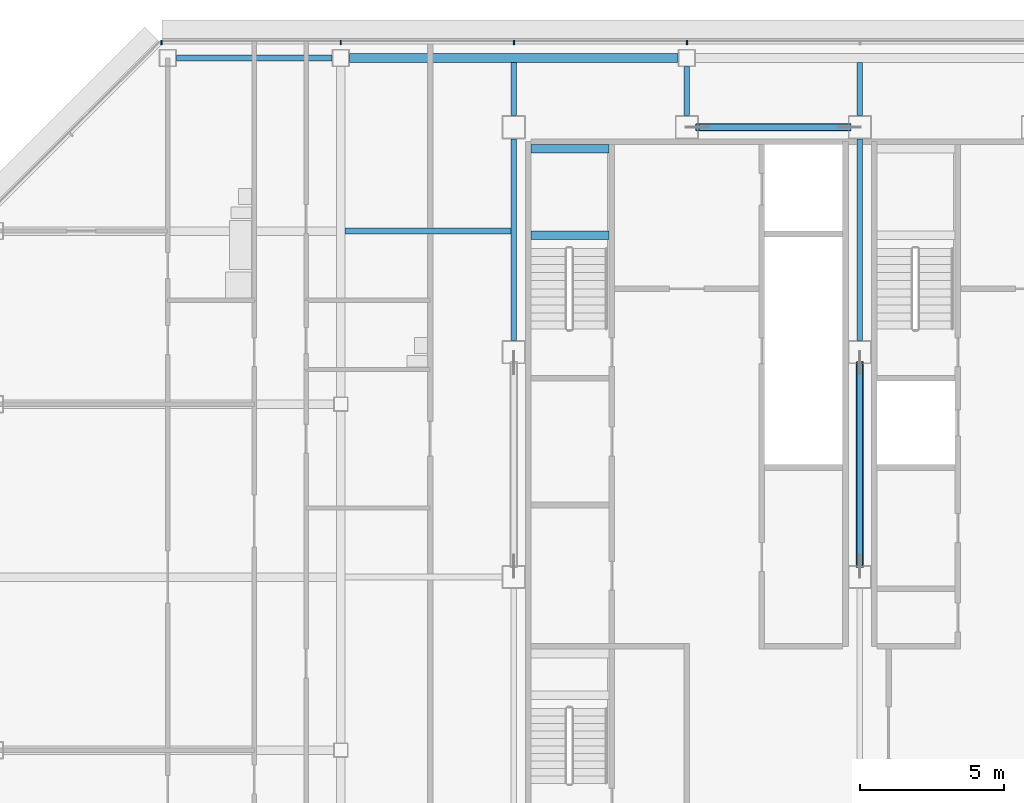
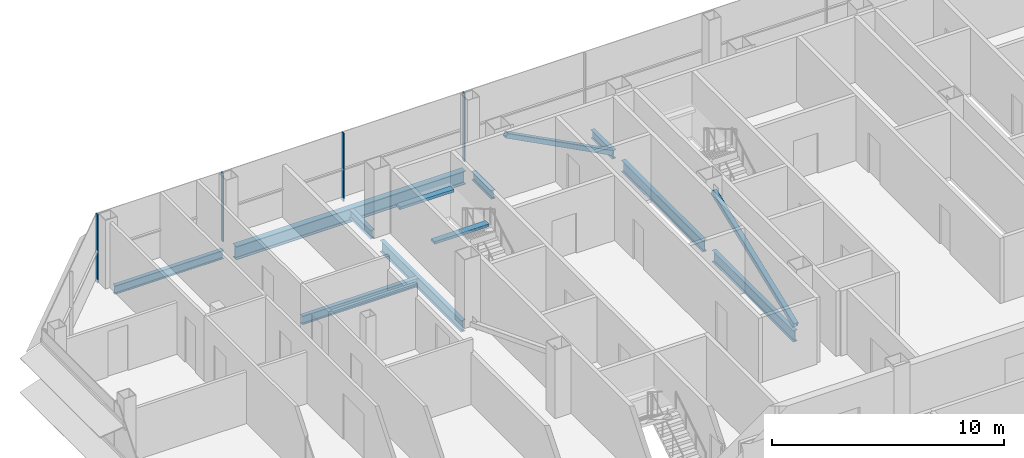
# One storey, part 13 of 28: 11 beams, 6 members, 1 element without a shape of its own.
"""IFC4 building model written with IfcOpenShell, lengths in metres."""

import ifcopenshell
import ifcopenshell.guid

model = None  # the IFC model being written
_history = None  # IfcOwnerHistory: only IFC2X3 demands one
_inside = {}  # id of a spatial element -> (the spatial element, [elements in it])
_under = {}  # id of a project, library or spatial element -> (it, [spatial elements below it])
_declared = {}  # id of a project -> (the project, [libraries it declares])
_typed = {}  # id of a type object -> (the type object, [elements of that type])
_made_of = {}  # id of a material, layer set ... -> (it, [elements and type objects made of it])


def new_model(schema):
    """Start an empty IFC model of exactly this schema.

    Asked for "IFC4X3", IfcOpenShell would pick the latest addendum, in which some entities
    have other attributes; the version numbers below select the first issue.
    IFC2X3 requires an IfcOwnerHistory on every rooted entity: one is made here for all.
    """
    global model, _history
    if schema == "IFC4X3":
        model = ifcopenshell.file(schema_version=(4, 3, 0, 0))
    else:
        model = ifcopenshell.file(schema=schema)
    _inside.clear()
    _under.clear()
    _declared.clear()
    _typed.clear()
    _made_of.clear()
    _history = None
    if model.schema == "IFC2X3":
        org = make("IfcOrganization", Name="unknown")
        user = make(
            "IfcPersonAndOrganization",
            ThePerson=make("IfcPerson", FamilyName="unknown"),
            TheOrganization=org,
        )
        app = make(
            "IfcApplication",
            ApplicationDeveloper=org,
            Version="unknown",
            ApplicationFullName="unknown",
            ApplicationIdentifier="unknown",
        )
        _history = make(
            "IfcOwnerHistory",
            OwningUser=user,
            OwningApplication=app,
            ChangeAction="ADDED",
            CreationDate=0,
        )
    return model


def make(cls, **values):
    """One entity of the class cls with the attributes given. An attribute that is None is left unset."""
    return model.create_entity(
        cls, **{name: value for name, value in values.items() if value is not None}
    )


def rooted(cls, **values):
    """An entity with a GlobalId (a new one), such as an element, a storey or a relation."""
    return make(cls, GlobalId=ifcopenshell.guid.new(), OwnerHistory=_history, **values)


def si_unit(unit_type, name, prefix=None):
    """IfcSIUnit, for example si_unit("LENGTHUNIT", "METRE", prefix="MILLI")."""
    return make("IfcSIUnit", UnitType=unit_type, Prefix=prefix, Name=name)


def assignment(units):
    """IfcUnitAssignment: the units of a project."""
    return None if units is None else make("IfcUnitAssignment", Units=units)


def point(xyz):
    """IfcCartesianPoint."""
    return None if xyz is None else make("IfcCartesianPoint", Coordinates=xyz)


def direction(xyz):
    """IfcDirection."""
    return None if xyz is None else make("IfcDirection", DirectionRatios=xyz)


def frame(location, z_axis=None, x_axis=None):
    """IfcAxis2Placement3D, a coordinate frame: its origin and axes. An axis left out is left unset."""
    return make(
        "IfcAxis2Placement3D",
        Location=point(location),
        Axis=direction(z_axis),
        RefDirection=direction(x_axis),
    )


def frame_2d(location, x_axis=None):
    """IfcAxis2Placement2D, a coordinate frame in the plane: its origin and x axis."""
    return make(
        "IfcAxis2Placement2D", Location=point(location), RefDirection=direction(x_axis)
    )


def origin():
    """The frame at (0, 0, 0) with its axes left unset."""
    return frame((0.0, 0.0, 0.0))


def origin_2d():
    """The frame at (0, 0) in the plane with its x axis left unset."""
    return frame_2d((0.0, 0.0))


def place(relative_to, where):
    """IfcLocalPlacement: puts the frame where relative to a parent placement (None: the world)."""
    return make(
        "IfcLocalPlacement", PlacementRelTo=relative_to, RelativePlacement=where
    )


def context(
    kind, dimensions, precision=None, world=None, true_north=None, identifier=None
):
    """IfcGeometricRepresentationContext, for example the 3D "Model" context."""
    return make(
        "IfcGeometricRepresentationContext",
        ContextIdentifier=identifier,
        ContextType=kind,
        CoordinateSpaceDimension=dimensions,
        Precision=precision,
        WorldCoordinateSystem=world,
        TrueNorth=true_north,
    )


def subcontext(parent, identifier, kind, view, scale=None):
    """IfcGeometricRepresentationSubContext, for example "Body" below "Model"."""
    return make(
        "IfcGeometricRepresentationSubContext",
        ContextIdentifier=identifier,
        ContextType=kind,
        ParentContext=parent,
        TargetScale=scale,
        TargetView=view,
    )


def project(units=None, contexts=None):
    """IfcProject with its units and contexts."""
    return rooted(
        "IfcProject",
        Name="project",
        RepresentationContexts=contexts,
        UnitsInContext=assignment(units),
    )


def spatial(cls, under=None, at=None, **own):
    """A site, building, storey or space (cls), placed at a placement, below another one or the project."""
    s = rooted(cls, ObjectPlacement=at, **own)
    if under is not None:
        _under.setdefault(under.id(), (under, []))[1].append(s)
    return s


def profile(cls, at=None, kind="AREA", **sizes):
    """A parametric profile (cls). Its sizes go by their IFC names, for example OverallWidth=200.0."""
    return make(cls, ProfileType=kind, Position=at, **sizes)


def rectangle(**sizes):
    """IfcRectangleProfileDef."""
    return profile("IfcRectangleProfileDef", **sizes)


def hollow_rectangle(**sizes):
    """IfcRectangleHollowProfileDef."""
    return profile("IfcRectangleHollowProfileDef", **sizes)


def i_section(**sizes):
    """IfcIShapeProfileDef."""
    return profile("IfcIShapeProfileDef", **sizes)


def extrude(swept, where, along, depth):
    """IfcExtrudedAreaSolid: the profile swept, set in the frame where, extruded along a direction by depth."""
    return make(
        "IfcExtrudedAreaSolid",
        SweptArea=swept,
        Position=where,
        ExtrudedDirection=direction(along),
        Depth=depth,
    )


def shape(context_of_items, identifier, shape_type, items):
    """IfcShapeRepresentation: the items that make up one representation, for example the "Body"."""
    return make(
        "IfcShapeRepresentation",
        ContextOfItems=context_of_items,
        RepresentationIdentifier=identifier,
        RepresentationType=shape_type,
        Items=items,
    )


def material(Name=None, Category=None):
    """IfcMaterial."""
    return make("IfcMaterial", Name=Name, Category=Category)


def material_profile(
    of_material, cross_section, Name=None, Category=None, Priority=None
):
    """IfcMaterialProfile: a cross section and its material."""
    return make(
        "IfcMaterialProfile",
        Name=Name,
        Material=of_material,
        Profile=cross_section,
        Priority=Priority,
        Category=Category,
    )


def profile_set(profiles, Name=None, composite=None):
    """IfcMaterialProfileSet."""
    return make(
        "IfcMaterialProfileSet",
        Name=Name,
        MaterialProfiles=profiles,
        CompositeProfile=composite,
    )


def made_of(thing, what):
    """Note that an element or type object is made of a material, layer set ...; save() writes the relation."""
    if what is not None:
        _made_of.setdefault(what.id(), (what, []))[1].append(thing)
    return thing


def type_object(cls, material=None, **own):
    """A type object (cls), such as IfcWallType, which elements share."""
    return made_of(rooted(cls, **own), material)


def element(
    cls,
    number,
    at=None,
    inside=None,
    cuts=None,
    type_object=None,
    material=None,
    context=None,
    identifier="Body",
    shape_type=None,
    held_by="IfcProductDefinitionShape",
    body=None,
    shapes=None,
    **own,
):
    """One element of the class cls, such as IfcWall. Its Tag is "e" and its number.

    at: its placement. inside: the storey or other place that contains it. cuts: it is an
    opening in that element (IfcRelVoidsElement). A single representation is given by context,
    identifier, shape_type and body (its items); several are given by shapes. held_by: the class
    of the entity that holds the representations. save() writes the other relations.
    """
    e = rooted(cls, Tag="e%d" % number, ObjectPlacement=at, **own)
    if body is not None:
        shapes = [shape(context, identifier, shape_type, body)]
    if shapes is not None:
        e.Representation = make(held_by, Representations=shapes)
    if inside is not None:
        _inside.setdefault(inside.id(), (inside, []))[1].append(e)
    if cuts is not None:
        rooted(
            "IfcRelVoidsElement", RelatingBuildingElement=cuts, RelatedOpeningElement=e
        )
    if type_object is not None:
        _typed.setdefault(type_object.id(), (type_object, []))[1].append(e)
    return made_of(e, material)


def aggregate(whole, parts):
    """IfcRelAggregates: a whole, such as a stair, and the parts it consists of."""
    return rooted("IfcRelAggregates", RelatingObject=whole, RelatedObjects=parts)


def save(model, path):
    """Write the relations noted so far, then the file.

    IfcRelAggregates (storeys below a building ...), IfcRelContainedInSpatialStructure (elements
    in a storey), IfcRelDefinesByType, IfcRelAssociatesMaterial and IfcRelDeclares: one each for
    every whole, place, type object, material and project.
    """
    for whole, parts in _under.values():
        aggregate(whole, parts)
    for where, things in _inside.values():
        rooted(
            "IfcRelContainedInSpatialStructure",
            RelatedElements=things,
            RelatingStructure=where,
        )
    for kind, things in _typed.values():
        rooted("IfcRelDefinesByType", RelatedObjects=things, RelatingType=kind)
    for what, things in _made_of.values():
        rooted("IfcRelAssociatesMaterial", RelatedObjects=things, RelatingMaterial=what)
    for by, libraries in _declared.values():
        rooted("IfcRelDeclares", RelatingContext=by, RelatedDefinitions=libraries)
    model.write(path)


model = new_model("IFC4")

# Units and contexts
model_context = context("Model", 3, precision=1e-05, world=origin(), true_north=direction((0.0, 1.0)))
body_context = subcontext(model_context, "Body", "Model", "MODEL_VIEW")
ifc_project = project(units=[si_unit("LENGTHUNIT", "METRE"), si_unit("AREAUNIT", "SQUARE_METRE"), si_unit("VOLUMEUNIT", "CUBIC_METRE"), si_unit("PLANEANGLEUNIT", "RADIAN"), si_unit("MASSUNIT", "GRAM", prefix="KILO")], contexts=[model_context])

# Site, building, storey
site_placement = place(None, origin())
site = spatial("IfcSite", under=ifc_project, at=site_placement, CompositionType="ELEMENT")
building_placement = place(site_placement, origin())
building = spatial("IfcBuilding", under=site, at=building_placement, Name="Sorahane Residences", CompositionType="ELEMENT")
storey_placement = place(building_placement, frame((0.0, 0.0, 250.39990234375)))
storey = spatial("IfcBuildingStorey", under=building, at=storey_placement, Name="L59", CompositionType="ELEMENT", Elevation=250.39990234375)

# Members
ifc_material_1 = material(Name="Steel Q355B", Category="steel")
ifc_material_profile_1 = material_profile(ifc_material_1, hollow_rectangle(XDim=0.25, YDim=0.25, WallThickness=0.013916015625, InnerFilletRadius=0.007080078125, OuterFilletRadius=0.02099609375, at=origin_2d()), Name="RHS 250x250x14")
ifc_profile_set_1 = profile_set([ifc_material_profile_1], Name="Steel Q355B")
member_type_1 = type_object("IfcMemberType", Name="Core brace RHS 250x250x14 Q355B", PredefinedType="BRACE", material=ifc_profile_set_1)
member_1_placement = place(storey_placement, frame((17.634765625, 45.60009765625, 0.10693359375), z_axis=(-0.886099769192, 0.0, 0.46349455125), x_axis=(0.0, -1.0, 0.0)))
element("IfcMember", 1, at=member_1_placement, inside=storey, type_object=member_type_1, Name="Core brace L59 y45.6-2", PredefinedType="BRACE", context=body_context, shape_type="SweptSolid", body=[
    extrude(hollow_rectangle(XDim=0.25, YDim=0.25, WallThickness=0.013916015625, InnerFilletRadius=0.007080078125, OuterFilletRadius=0.02099609375, at=origin_2d()), origin(), (0.0, 0.0, 1.0), 5.94677734375),
])
member_2_placement = place(storey_placement, frame((18.0, 30.372802734375, 0.114501953125), z_axis=(0.0, 0.932102104456, 0.362195619617), x_axis=(-1.0, 0.0, 0.0)))
element("IfcMember", 2, at=member_2_placement, inside=storey, type_object=member_type_1, Name="Core brace L59 x18-1", PredefinedType="BRACE", context=body_context, shape_type="SweptSolid", body=[
    extrude(hollow_rectangle(XDim=0.25, YDim=0.25, WallThickness=0.013916015625, InnerFilletRadius=0.007080078125, OuterFilletRadius=0.02099609375, at=origin_2d()), origin(), (0.0, 0.0, 1.0), 7.568359375),
])

# Curtain wall, members
ifc_material_2 = material(Name="Dark low-e glass and black anodised aluminium", Category="aluminium")
curtain_wall_type = type_object("IfcCurtainWallType", Name="Curtain wall CW-1 Typical unitised wall", PredefinedType="NOTDEFINED", material=ifc_material_2)
curtain_wall_placement = place(storey_placement, origin())
curtain_wall = element("IfcCurtainWall", 3, at=curtain_wall_placement, inside=storey, type_object=curtain_wall_type, Name="CW-1 curtain wall L59 N1", PredefinedType="NOTDEFINED")
ifc_material_3 = material(Name="Black anodised aluminium", Category="aluminium")
ifc_material_profile_2 = material_profile(ifc_material_3, rectangle(XDim=0.159912109375, YDim=0.050048828125, at=origin_2d()), Name="Curtain wall mullion CW-1 black anodised aluminium 50x160")
ifc_profile_set_2 = profile_set([ifc_material_profile_2], Name="Black anodised aluminium")
member_type_2 = type_object("IfcMemberType", Name="Curtain wall mullion CW-1 black anodised aluminium 50x160", PredefinedType="MULLION", material=ifc_profile_set_2)
member_3_placement = place(storey_placement, frame((12.0, 48.5400390625, -0.179931640625), z_axis=(0.0, 0.0, 1.0), x_axis=(0.0, 1.0, 0.0)))
member_3 = element("IfcMember", 4, at=member_3_placement, type_object=member_type_2, Name="CW-1 mullion L59 N1.7", PredefinedType="MULLION", context=body_context, shape_type="SweptSolid", body=[
    extrude(rectangle(XDim=0.159912109375, YDim=0.050048828125, at=origin_2d()), origin(), (0.0, 0.0, 1.0), 3.60009765625),
])
member_4_placement = place(storey_placement, frame((6.0, 48.5400390625, -0.179931640625), z_axis=(0.0, 0.0, 1.0), x_axis=(0.0, 1.0, 0.0)))
member_4 = element("IfcMember", 5, at=member_4_placement, type_object=member_type_2, Name="CW-1 mullion L59 N1.8", PredefinedType="MULLION", context=body_context, shape_type="SweptSolid", body=[
    extrude(rectangle(XDim=0.159912109375, YDim=0.050048828125, at=origin_2d()), origin(), (0.0, 0.0, 1.0), 3.60009765625),
])
member_5_placement = place(storey_placement, frame((0.0, 48.5400390625, -0.179931640625), z_axis=(0.0, 0.0, 1.0), x_axis=(0.0, 1.0, 0.0)))
member_5 = element("IfcMember", 6, at=member_5_placement, type_object=member_type_2, Name="CW-1 mullion L59 N1.9", PredefinedType="MULLION", context=body_context, shape_type="SweptSolid", body=[
    extrude(rectangle(XDim=0.159912109375, YDim=0.050048828125, at=origin_2d()), origin(), (0.0, 0.0, 1.0), 3.60009765625),
])
member_6_placement = place(storey_placement, frame((-6.2236328125, 48.5400390625, -0.179931640625), z_axis=(0.0, 0.0, 1.0), x_axis=(0.0, 1.0, 0.0)))
member_6 = element("IfcMember", 7, at=member_6_placement, type_object=member_type_2, Name="CW-1 mullion L59 N1.10", PredefinedType="MULLION", context=body_context, shape_type="SweptSolid", body=[
    extrude(rectangle(XDim=0.159912109375, YDim=0.050048828125, at=origin_2d()), origin(), (0.0, 0.0, 1.0), 3.60009765625),
])
aggregate(curtain_wall, [member_3, member_4, member_5, member_6])

# Beams
ifc_material_4 = material(Name="Concrete C40", Category="concrete")
ifc_material_profile_3 = material_profile(ifc_material_4, rectangle(XDim=0.300048828125, YDim=0.139892578125, at=origin_2d()), Name="300x140")
ifc_profile_set_3 = profile_set([ifc_material_profile_3], Name="Concrete C40")
beam_type_1 = type_object("IfcBeamType", Name="RC landing beam 300 x 140 Concrete C40", PredefinedType="BEAM", material=ifc_profile_set_3)
for number, where, z_axis, x_axis, name in (
    (8, (6.60009765625, 41.85009765625, 1.530029296875), (1.0, 0.0, 0.0), (0.0, 1.0, 0.0), "Landing beam"),
    (9, (6.60009765625, 44.85009765625, 1.530029296875), (1.0, 0.0, 0.0), (0.0, 1.0, 0.0), "Landing beam"),
):
    element("IfcBeam", number, at=place(storey_placement, frame(where, z_axis=z_axis, x_axis=x_axis)), inside=storey, type_object=beam_type_1, Name=name, PredefinedType="BEAM", context=body_context, shape_type="SweptSolid", body=[
        extrude(rectangle(XDim=0.300048828125, YDim=0.139892578125, at=origin_2d()), origin(), (0.0, 0.0, 1.0), 2.699951171875),
    ])
ifc_material_5 = material(Name="Steel Q355B", Category="steel")
ifc_material_profile_4 = material_profile(ifc_material_5, i_section(OverallWidth=0.199951171875, OverallDepth=0.449951171875, WebThickness=0.009033203125, FlangeThickness=0.013916015625, FilletRadius=0.02001953125, at=origin_2d()), Name="HN 450x200x9x14")
ifc_profile_set_4 = profile_set([ifc_material_profile_4], Name="Steel Q355B")
beam_type_2 = type_object("IfcBeamType", Name="Steel floor beam HN 450x200x9x14 Q355B", PredefinedType="BEAM", material=ifc_profile_set_4)
beam_1_placement = place(storey_placement, frame((-5.699951171875, 48.0, -0.40478515625), z_axis=(1.0, 0.0, 0.0), x_axis=(0.0, 1.0, 0.0)))
element("IfcBeam", 10, at=beam_1_placement, inside=storey, type_object=beam_type_2, Name="Beam L59 015", PredefinedType="BEAM", context=body_context, shape_type="SweptSolid", body=[
    extrude(i_section(OverallWidth=0.199951171875, OverallDepth=0.449951171875, WebThickness=0.009033203125, FlangeThickness=0.013916015625, FilletRadius=0.02001953125, at=origin_2d()), origin(), (0.0, 0.0, 1.0), 5.39990234375),
])
beam_2_placement = place(storey_placement, frame((6.0, 46.0, -0.40478515625), z_axis=(0.0, 1.0, 0.0), x_axis=(-1.0, 0.0, 0.0)))
element("IfcBeam", 11, at=beam_2_placement, inside=storey, type_object=beam_type_2, Name="Beam L59 033", PredefinedType="BEAM", context=body_context, shape_type="SweptSolid", body=[
    extrude(i_section(OverallWidth=0.199951171875, OverallDepth=0.449951171875, WebThickness=0.009033203125, FlangeThickness=0.013916015625, FilletRadius=0.02001953125, at=origin_2d()), origin(), (0.0, 0.0, 1.0), 1.85009765625),
])
beam_3_placement = place(storey_placement, frame((12.0, 46.0, -0.40478515625), z_axis=(0.0, 1.0, 0.0), x_axis=(-1.0, 0.0, 0.0)))
element("IfcBeam", 12, at=beam_3_placement, inside=storey, type_object=beam_type_2, Name="Beam L59 035", PredefinedType="BEAM", context=body_context, shape_type="SweptSolid", body=[
    extrude(i_section(OverallWidth=0.199951171875, OverallDepth=0.449951171875, WebThickness=0.009033203125, FlangeThickness=0.013916015625, FilletRadius=0.02001953125, at=origin_2d()), origin(), (0.0, 0.0, 1.0), 1.699951171875),
])
beam_4_placement = place(storey_placement, frame((18.0, 46.0, -0.40478515625), z_axis=(0.0, 1.0, 0.0), x_axis=(-1.0, 0.0, 0.0)))
element("IfcBeam", 13, at=beam_4_placement, inside=storey, type_object=beam_type_2, Name="Beam L59 041", PredefinedType="BEAM", context=body_context, shape_type="SweptSolid", body=[
    extrude(i_section(OverallWidth=0.199951171875, OverallDepth=0.449951171875, WebThickness=0.009033203125, FlangeThickness=0.013916015625, FilletRadius=0.02001953125, at=origin_2d()), origin(), (0.0, 0.0, 1.0), 1.85009765625),
])
beam_5_placement = place(storey_placement, frame((0.14990234375, 42.0, -0.40478515625), z_axis=(1.0, 0.0, 0.0), x_axis=(0.0, 1.0, 0.0)))
element("IfcBeam", 14, at=beam_5_placement, inside=storey, type_object=beam_type_2, Name="Beam L59 090", PredefinedType="BEAM", context=body_context, shape_type="SweptSolid", body=[
    extrude(i_section(OverallWidth=0.199951171875, OverallDepth=0.449951171875, WebThickness=0.009033203125, FlangeThickness=0.013916015625, FilletRadius=0.02001953125, at=origin_2d()), origin(), (0.0, 0.0, 1.0), 5.75),
])
ifc_material_6 = material(Name="Steel Q355B", Category="steel")
ifc_material_profile_5 = material_profile(ifc_material_6, i_section(OverallWidth=0.199951171875, OverallDepth=0.60009765625, WebThickness=0.010986328125, FlangeThickness=0.01708984375, FilletRadius=0.02392578125, at=origin_2d()), Name="HN 600x200x11x17")
ifc_profile_set_5 = profile_set([ifc_material_profile_5], Name="Steel Q355B")
beam_type_3 = type_object("IfcBeamType", Name="Steel floor beam HN 600x200x11x17 Q355B", PredefinedType="BEAM", material=ifc_profile_set_5)
for number, where, z_axis, x_axis, name in (
    (15, (6.0, 38.199951171875, -0.47998046875), (0.0, 1.0, 0.0), (-1.0, 0.0, 0.0), "Beam L59 032"),
    (16, (18.0, 30.39990234375, -0.47998046875), (0.0, 1.0, 0.0), (-1.0, 0.0, 0.0), "Beam L59 039"),
    (17, (18.0, 38.199951171875, -0.47998046875), (0.0, 1.0, 0.0), (-1.0, 0.0, 0.0), "Beam L59 040"),
):
    element("IfcBeam", number, at=place(storey_placement, frame(where, z_axis=z_axis, x_axis=x_axis)), inside=storey, type_object=beam_type_3, Name=name, PredefinedType="BEAM", context=body_context, shape_type="SweptSolid", body=[
        extrude(i_section(OverallWidth=0.199951171875, OverallDepth=0.60009765625, WebThickness=0.010986328125, FlangeThickness=0.01708984375, FilletRadius=0.02392578125, at=origin_2d()), origin(), (0.0, 0.0, 1.0), 7.0),
    ])
ifc_material_7 = material(Name="Steel Q355B", Category="steel")
ifc_material_profile_6 = material_profile(ifc_material_7, i_section(OverallWidth=0.300048828125, OverallDepth=0.699951171875, WebThickness=0.012939453125, FlangeThickness=0.02392578125, FilletRadius=0.028076171875, at=origin_2d()), Name="HN 700x300x13x24")
ifc_profile_set_6 = profile_set([ifc_material_profile_6], Name="Steel Q355B")
beam_type_4 = type_object("IfcBeamType", Name="Steel floor beam HN 700x300x13x24 Q355B", PredefinedType="BEAM", material=ifc_profile_set_6)
beam_6_placement = place(storey_placement, frame((0.300048828125, 48.0, -0.52978515625), z_axis=(1.0, 0.0, 0.0), x_axis=(0.0, 1.0, 0.0)))
element("IfcBeam", 18, at=beam_6_placement, inside=storey, type_object=beam_type_4, Name="Beam L59 016", PredefinedType="BEAM", context=body_context, shape_type="SweptSolid", body=[
    extrude(i_section(OverallWidth=0.300048828125, OverallDepth=0.699951171875, WebThickness=0.012939453125, FlangeThickness=0.02392578125, FilletRadius=0.028076171875, at=origin_2d()), origin(), (0.0, 0.0, 1.0), 11.39990234375),
])

save(model, "model.ifc")
